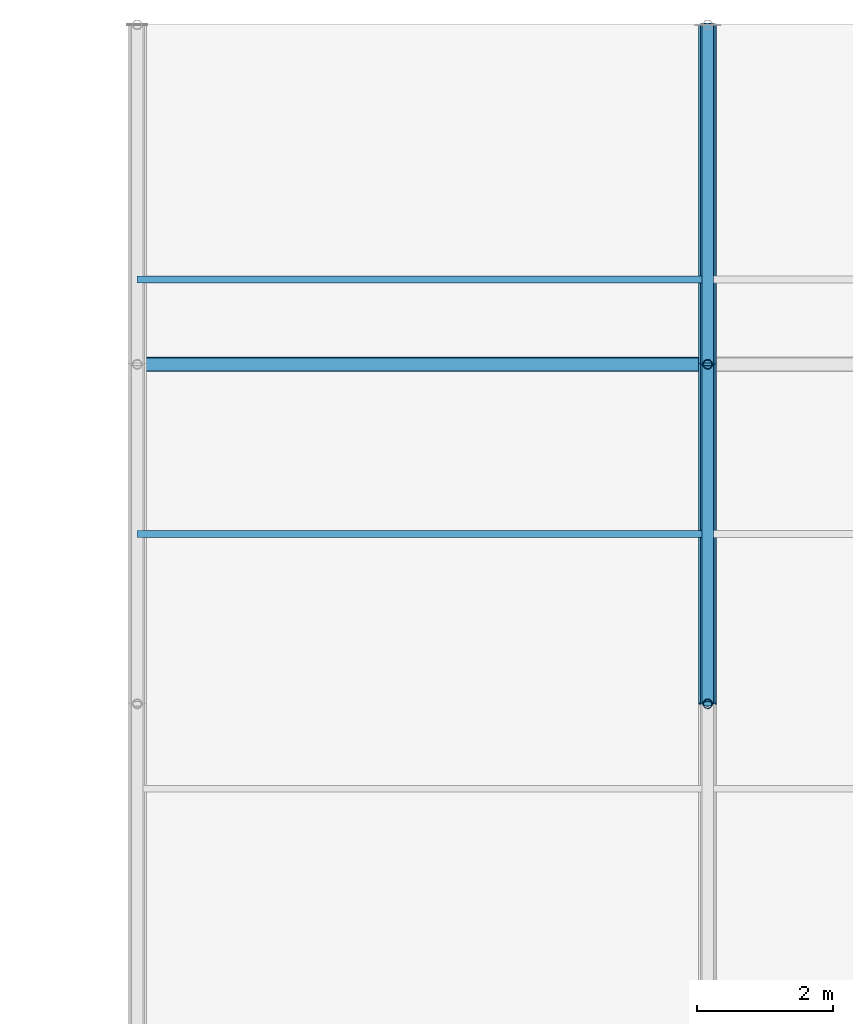
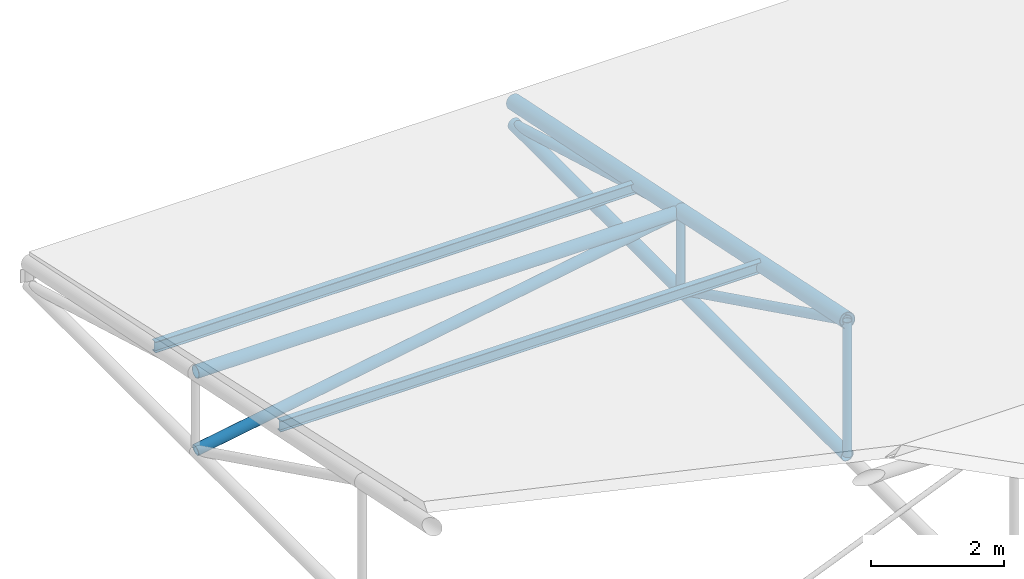
# One storey, part 16 of 194: 10 members, 2 beams.
"""IFC4 building model written with IfcOpenShell, lengths in metres."""

from ifc_helpers import new_model, si_unit, direction, frame, origin, origin_2d, place, context, subcontext, project, spatial, hollow_circle, i_section, extrude, material, material_profile, profile_set, type_object, element, save


model = new_model("IFC4")

# Units and contexts
model_context = context("Model", 3, precision=1e-05, world=origin(), true_north=direction((0.0, 1.0)))
body_context = subcontext(model_context, "Body", "Model", "MODEL_VIEW")
ifc_project = project(units=[si_unit("LENGTHUNIT", "METRE"), si_unit("AREAUNIT", "SQUARE_METRE"), si_unit("VOLUMEUNIT", "CUBIC_METRE"), si_unit("PLANEANGLEUNIT", "RADIAN"), si_unit("MASSUNIT", "GRAM", prefix="KILO")], contexts=[model_context])

# Site, building, storey
site_placement = place(None, origin())
site = spatial("IfcSite", under=ifc_project, at=site_placement, CompositionType="ELEMENT")
building_placement = place(site_placement, origin())
building = spatial("IfcBuilding", under=site, at=building_placement, Name="Kazenagashi Tramway Depot", CompositionType="ELEMENT")
storey_placement = place(building_placement, frame((0.0, 0.0, 23.7)))
storey = spatial("IfcBuildingStorey", under=building, at=storey_placement, Name="ROOF", CompositionType="ELEMENT", Elevation=23.7)

# Beams
ifc_material_1 = material(Name="Steel SN400B", Category="steel")
ifc_material_profile_1 = material_profile(ifc_material_1, i_section(OverallWidth=0.1, OverallDepth=0.2, WebThickness=0.0055, FlangeThickness=0.008, at=origin_2d()), Name="H-200x100x5.5x8")
ifc_profile_set_1 = profile_set([ifc_material_profile_1], Name="Steel SN400B")
beam_type = type_object("IfcBeamType", Name="PR-01", PredefinedType="USERDEFINED", material=ifc_profile_set_1)
for number, where, z_axis, x_axis, name in (
    (1, (44.8, 122.5, -12.13), (1.0, 0.0, 0.0), (0.0, 1.0, 0.0), "Beam PR-01 BM-2198"),
    (2, (44.8, 126.25, -12.955), (1.0, 0.0, 0.0), (0.0, 1.0, 0.0), "Beam PR-01 BM-2216"),
):
    element("IfcBeam", number, at=place(storey_placement, frame(where, z_axis=z_axis, x_axis=x_axis)), inside=storey, type_object=beam_type, Name=name, ObjectType="PURLIN", PredefinedType="USERDEFINED", context=body_context, shape_type="SweptSolid", body=[
        extrude(i_section(OverallWidth=0.1, OverallDepth=0.2, WebThickness=0.0055, FlangeThickness=0.008, at=origin_2d()), origin(), (0.0, 0.0, 1.0), 8.4),
    ])

# Members
ifc_material_2 = material(Name="Steel STK490", Category="steel")
ifc_material_profile_2 = material_profile(ifc_material_2, hollow_circle(Radius=0.1337, WallThickness=0.0093, at=origin_2d()), Name="CHS-267.4x9.3")
ifc_profile_set_2 = profile_set([ifc_material_profile_2], Name="Steel STK490")
member_type_1 = type_object("IfcMemberType", Name="TC-01", PredefinedType="CHORD", material=ifc_profile_set_2)
member_1_placement = place(storey_placement, frame((53.2, 120.0, -11.633), z_axis=(0.0, 0.979279174591, -0.202514933305), x_axis=(-1.0, 0.0, 0.0)))
element("IfcMember", 3, at=member_1_placement, inside=storey, type_object=member_type_1, Name="Tubular Space Frame TC-01 MEM-0105", PredefinedType="CHORD", context=body_context, shape_type="SweptSolid", body=[
    extrude(hollow_circle(Radius=0.1337, WallThickness=0.0093, at=origin_2d()), origin(), (0.0, 0.0, 1.0), 5.105796),
])
member_2_placement = place(storey_placement, frame((53.2, 125.0, -12.667), z_axis=(0.0, 0.979317999984, -0.202327098797), x_axis=(-1.0, 0.0, 0.0)))
element("IfcMember", 4, at=member_2_placement, inside=storey, type_object=member_type_1, Name="Tubular Space Frame TC-01 MEM-0108", PredefinedType="CHORD", context=body_context, shape_type="SweptSolid", body=[
    extrude(hollow_circle(Radius=0.1337, WallThickness=0.0093, at=origin_2d()), origin(), (0.0, 0.0, 1.0), 5.105594),
])
ifc_material_profile_3 = material_profile(ifc_material_2, hollow_circle(Radius=0.10815, WallThickness=0.0082, at=origin_2d()), Name="CHS-216.3x8.2")
ifc_profile_set_3 = profile_set([ifc_material_profile_3], Name="Steel STK490")
member_type_2 = type_object("IfcMemberType", Name="TC-02", PredefinedType="CHORD", material=ifc_profile_set_3)
member_3_placement = place(storey_placement, frame((44.8, 125.0, -12.667), z_axis=(1.0, 0.0, 0.0), x_axis=(0.0, 1.0, 0.0)))
element("IfcMember", 5, at=member_3_placement, inside=storey, type_object=member_type_2, Name="Tubular Space Frame TC-02 MEM-0060", PredefinedType="CHORD", context=body_context, shape_type="SweptSolid", body=[
    extrude(hollow_circle(Radius=0.10815, WallThickness=0.0082, at=origin_2d()), origin(), (0.0, 0.0, 1.0), 8.4),
])
for number, where, z_axis, x_axis, name in (
    (6, (53.2, 120.0, -14.1), (0.0, 1.0, 0.0), (-1.0, 0.0, 0.0), "Tubular Space Frame TC-02 MEM-0106"),
    (7, (53.2, 125.0, -14.1), (0.0, 1.0, 0.0), (-1.0, 0.0, 0.0), "Tubular Space Frame TC-02 MEM-0109"),
):
    element("IfcMember", number, at=place(storey_placement, frame(where, z_axis=z_axis, x_axis=x_axis)), inside=storey, type_object=member_type_2, Name=name, PredefinedType="CHORD", context=body_context, shape_type="SweptSolid", body=[
        extrude(hollow_circle(Radius=0.10815, WallThickness=0.0082, at=origin_2d()), origin(), (0.0, 0.0, 1.0), 5.0),
    ])
ifc_material_profile_4 = material_profile(ifc_material_2, hollow_circle(Radius=0.0826, WallThickness=0.0071, at=origin_2d()), Name="CHS-165.2x7.1")
ifc_profile_set_4 = profile_set([ifc_material_profile_4], Name="Steel STK490")
member_type_3 = type_object("IfcMemberType", Name="TS-01", PredefinedType="STRUT", material=ifc_profile_set_4)
member_4_placement = place(storey_placement, frame((53.2, 120.0, -11.633), z_axis=(0.0, 0.896782162482, -0.442472318969), x_axis=(-1.0, 0.0, 0.0)))
element("IfcMember", 8, at=member_4_placement, inside=storey, type_object=member_type_3, Name="Tubular Space Frame TS-01 MEM-0107", PredefinedType="STRUT", context=body_context, shape_type="SweptSolid", body=[
    extrude(hollow_circle(Radius=0.0826, WallThickness=0.0071, at=origin_2d()), origin(), (0.0, 0.0, 1.0), 5.57549),
])
member_5_placement = place(storey_placement, frame((53.2, 125.0, -12.667), z_axis=(0.0, 0.961298717795, -0.27550821252), x_axis=(-1.0, 0.0, 0.0)))
element("IfcMember", 9, at=member_5_placement, inside=storey, type_object=member_type_3, Name="Tubular Space Frame TS-01 MEM-0110", PredefinedType="STRUT", context=body_context, shape_type="SweptSolid", body=[
    extrude(hollow_circle(Radius=0.0826, WallThickness=0.0071, at=origin_2d()), origin(), (0.0, 0.0, 1.0), 5.201297),
])
ifc_material_profile_5 = material_profile(ifc_material_2, hollow_circle(Radius=0.0699, WallThickness=0.0066, at=origin_2d()), Name="CHS-139.8x6.6")
ifc_profile_set_5 = profile_set([ifc_material_profile_5], Name="Steel STK490")
member_type_4 = type_object("IfcMemberType", Name="TS-02", PredefinedType="STRUT", material=ifc_profile_set_5)
member_6_placement = place(storey_placement, frame((53.2, 120.0, -14.1), z_axis=(0.0, 0.0, 1.0), x_axis=(1.0, 0.0, 0.0)))
element("IfcMember", 10, at=member_6_placement, inside=storey, type_object=member_type_4, Name="Tubular Space Frame TS-02 MEM-0114", PredefinedType="STRUT", context=body_context, shape_type="SweptSolid", body=[
    extrude(hollow_circle(Radius=0.0699, WallThickness=0.0066, at=origin_2d()), origin(), (0.0, 0.0, 1.0), 2.467),
])
member_7_placement = place(storey_placement, frame((53.2, 125.0, -14.1), z_axis=(0.0, 0.0, 1.0), x_axis=(1.0, 0.0, 0.0)))
element("IfcMember", 11, at=member_7_placement, inside=storey, type_object=member_type_4, Name="Tubular Space Frame TS-02 MEM-0115", PredefinedType="STRUT", context=body_context, shape_type="SweptSolid", body=[
    extrude(hollow_circle(Radius=0.0699, WallThickness=0.0066, at=origin_2d()), origin(), (0.0, 0.0, 1.0), 1.433),
])
ifc_material_profile_6 = material_profile(ifc_material_2, hollow_circle(Radius=0.09535, WallThickness=0.007, at=origin_2d()), Name="CHS-190.7x7.0")
ifc_profile_set_6 = profile_set([ifc_material_profile_6], Name="Steel STK490")
member_type_5 = type_object("IfcMemberType", Name="TS-05", PredefinedType="STRUT", material=ifc_profile_set_6)
member_8_placement = place(storey_placement, frame((44.8, 125.0, -14.1), z_axis=(0.985758734117, 0.0, 0.168165745951), x_axis=(0.0, 1.0, 0.0)))
element("IfcMember", 12, at=member_8_placement, inside=storey, type_object=member_type_5, Name="Tubular Space Frame TS-05 MEM-0061", PredefinedType="STRUT", context=body_context, shape_type="SweptSolid", body=[
    extrude(hollow_circle(Radius=0.09535, WallThickness=0.007, at=origin_2d()), origin(), (0.0, 0.0, 1.0), 8.521355),
])

save(model, "model.ifc")
